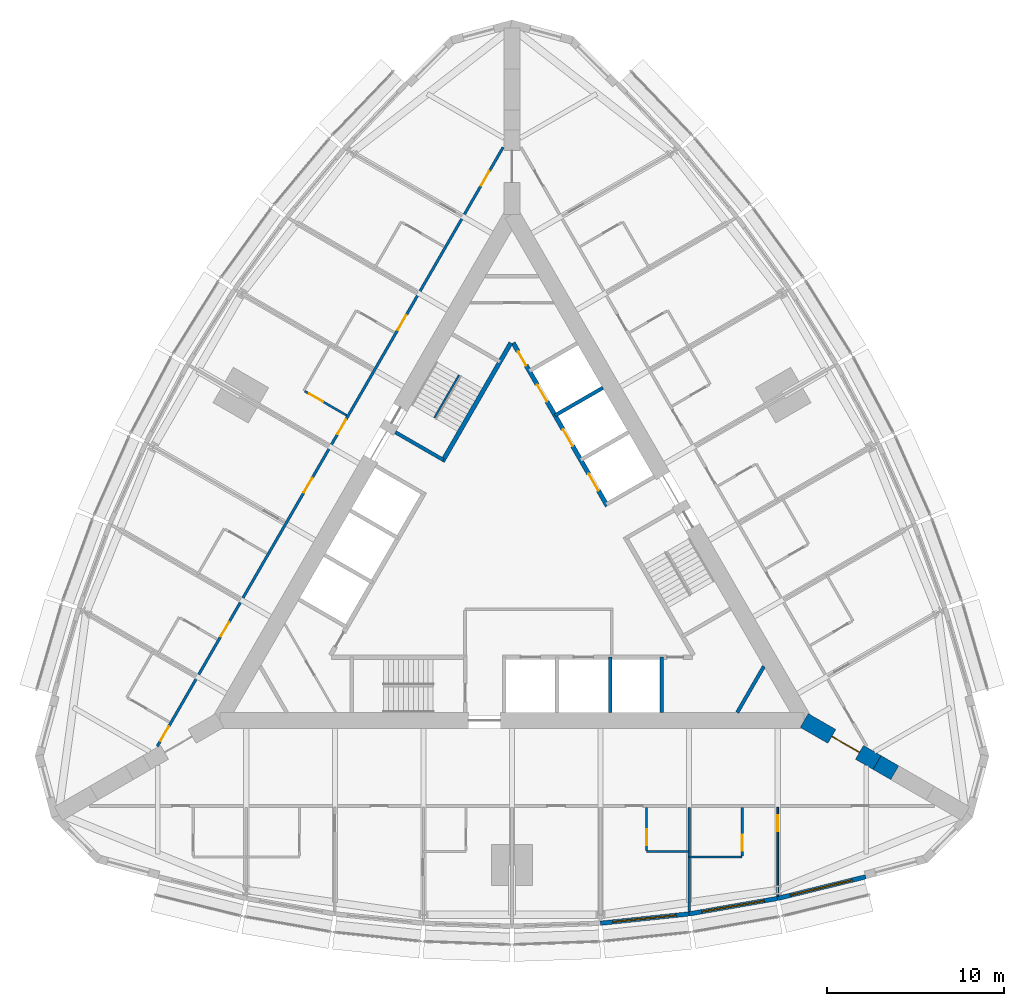
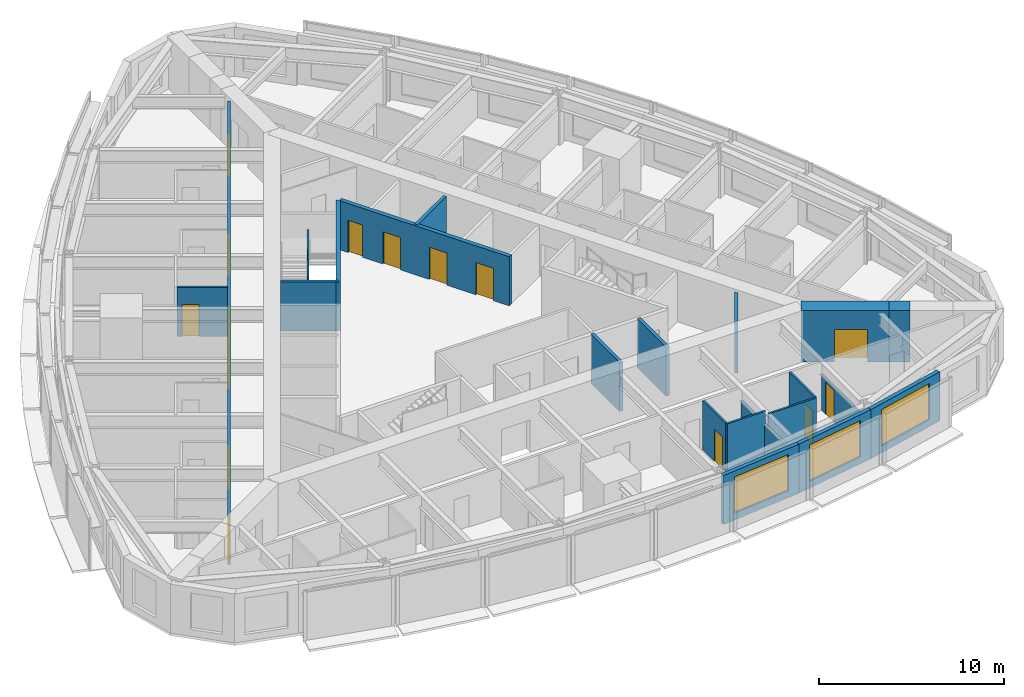
# One storey, part 10 of 14: 21 walls, 15 doors, 3 windows, 18 openings.
"""IFC4 building model written with IfcOpenShell, lengths in metres."""

import ifcopenshell
import ifcopenshell.guid

model = None  # the IFC model being written
_history = None  # IfcOwnerHistory: only IFC2X3 demands one
_inside = {}  # id of a spatial element -> (the spatial element, [elements in it])
_under = {}  # id of a project, library or spatial element -> (it, [spatial elements below it])
_declared = {}  # id of a project -> (the project, [libraries it declares])
_typed = {}  # id of a type object -> (the type object, [elements of that type])
_made_of = {}  # id of a material, layer set ... -> (it, [elements and type objects made of it])


def new_model(schema):
    """Start an empty IFC model of exactly this schema.

    Asked for "IFC4X3", IfcOpenShell would pick the latest addendum, in which some entities
    have other attributes; the version numbers below select the first issue.
    IFC2X3 requires an IfcOwnerHistory on every rooted entity: one is made here for all.
    """
    global model, _history
    if schema == "IFC4X3":
        model = ifcopenshell.file(schema_version=(4, 3, 0, 0))
    else:
        model = ifcopenshell.file(schema=schema)
    _inside.clear()
    _under.clear()
    _declared.clear()
    _typed.clear()
    _made_of.clear()
    _history = None
    if model.schema == "IFC2X3":
        org = make("IfcOrganization", Name="unknown")
        user = make(
            "IfcPersonAndOrganization",
            ThePerson=make("IfcPerson", FamilyName="unknown"),
            TheOrganization=org,
        )
        app = make(
            "IfcApplication",
            ApplicationDeveloper=org,
            Version="unknown",
            ApplicationFullName="unknown",
            ApplicationIdentifier="unknown",
        )
        _history = make(
            "IfcOwnerHistory",
            OwningUser=user,
            OwningApplication=app,
            ChangeAction="ADDED",
            CreationDate=0,
        )
    return model


def make(cls, **values):
    """One entity of the class cls with the attributes given. An attribute that is None is left unset."""
    return model.create_entity(
        cls, **{name: value for name, value in values.items() if value is not None}
    )


def rooted(cls, **values):
    """An entity with a GlobalId (a new one), such as an element, a storey or a relation."""
    return make(cls, GlobalId=ifcopenshell.guid.new(), OwnerHistory=_history, **values)


def si_unit(unit_type, name, prefix=None):
    """IfcSIUnit, for example si_unit("LENGTHUNIT", "METRE", prefix="MILLI")."""
    return make("IfcSIUnit", UnitType=unit_type, Prefix=prefix, Name=name)


def assignment(units):
    """IfcUnitAssignment: the units of a project."""
    return None if units is None else make("IfcUnitAssignment", Units=units)


def point(xyz):
    """IfcCartesianPoint."""
    return None if xyz is None else make("IfcCartesianPoint", Coordinates=xyz)


def direction(xyz):
    """IfcDirection."""
    return None if xyz is None else make("IfcDirection", DirectionRatios=xyz)


def frame(location, z_axis=None, x_axis=None):
    """IfcAxis2Placement3D, a coordinate frame: its origin and axes. An axis left out is left unset."""
    return make(
        "IfcAxis2Placement3D",
        Location=point(location),
        Axis=direction(z_axis),
        RefDirection=direction(x_axis),
    )


def frame_2d(location, x_axis=None):
    """IfcAxis2Placement2D, a coordinate frame in the plane: its origin and x axis."""
    return make(
        "IfcAxis2Placement2D", Location=point(location), RefDirection=direction(x_axis)
    )


def origin():
    """The frame at (0, 0, 0) with its axes left unset."""
    return frame((0.0, 0.0, 0.0))


def place(relative_to, where):
    """IfcLocalPlacement: puts the frame where relative to a parent placement (None: the world)."""
    return make(
        "IfcLocalPlacement", PlacementRelTo=relative_to, RelativePlacement=where
    )


def context(
    kind, dimensions, precision=None, world=None, true_north=None, identifier=None
):
    """IfcGeometricRepresentationContext, for example the 3D "Model" context."""
    return make(
        "IfcGeometricRepresentationContext",
        ContextIdentifier=identifier,
        ContextType=kind,
        CoordinateSpaceDimension=dimensions,
        Precision=precision,
        WorldCoordinateSystem=world,
        TrueNorth=true_north,
    )


def subcontext(parent, identifier, kind, view, scale=None):
    """IfcGeometricRepresentationSubContext, for example "Body" below "Model"."""
    return make(
        "IfcGeometricRepresentationSubContext",
        ContextIdentifier=identifier,
        ContextType=kind,
        ParentContext=parent,
        TargetScale=scale,
        TargetView=view,
    )


def project(units=None, contexts=None):
    """IfcProject with its units and contexts."""
    return rooted(
        "IfcProject",
        Name="project",
        RepresentationContexts=contexts,
        UnitsInContext=assignment(units),
    )


def spatial(cls, under=None, at=None, **own):
    """A site, building, storey or space (cls), placed at a placement, below another one or the project."""
    s = rooted(cls, ObjectPlacement=at, **own)
    if under is not None:
        _under.setdefault(under.id(), (under, []))[1].append(s)
    return s


def profile(cls, at=None, kind="AREA", **sizes):
    """A parametric profile (cls). Its sizes go by their IFC names, for example OverallWidth=200.0."""
    return make(cls, ProfileType=kind, Position=at, **sizes)


def rectangle(**sizes):
    """IfcRectangleProfileDef."""
    return profile("IfcRectangleProfileDef", **sizes)


def extrude(swept, where, along, depth):
    """IfcExtrudedAreaSolid: the profile swept, set in the frame where, extruded along a direction by depth."""
    return make(
        "IfcExtrudedAreaSolid",
        SweptArea=swept,
        Position=where,
        ExtrudedDirection=direction(along),
        Depth=depth,
    )


def shape(context_of_items, identifier, shape_type, items):
    """IfcShapeRepresentation: the items that make up one representation, for example the "Body"."""
    return make(
        "IfcShapeRepresentation",
        ContextOfItems=context_of_items,
        RepresentationIdentifier=identifier,
        RepresentationType=shape_type,
        Items=items,
    )


def material(Name=None, Category=None):
    """IfcMaterial."""
    return make("IfcMaterial", Name=Name, Category=Category)


def layer(
    of_material, thickness, ventilated=None, Name=None, Category=None, Priority=None
):
    """IfcMaterialLayer: one layer of a wall or slab, of a material (None: an air gap)."""
    return make(
        "IfcMaterialLayer",
        Material=of_material,
        LayerThickness=thickness,
        IsVentilated=ventilated,
        Name=Name,
        Category=Category,
        Priority=Priority,
    )


def layer_set(layers, Name=None):
    """IfcMaterialLayerSet."""
    return make("IfcMaterialLayerSet", MaterialLayers=layers, LayerSetName=Name)


def made_of(thing, what):
    """Note that an element or type object is made of a material, layer set ...; save() writes the relation."""
    if what is not None:
        _made_of.setdefault(what.id(), (what, []))[1].append(thing)
    return thing


def type_object(cls, material=None, **own):
    """A type object (cls), such as IfcWallType, which elements share."""
    return made_of(rooted(cls, **own), material)


def element(
    cls,
    number,
    at=None,
    inside=None,
    cuts=None,
    type_object=None,
    material=None,
    context=None,
    identifier="Body",
    shape_type=None,
    held_by="IfcProductDefinitionShape",
    body=None,
    shapes=None,
    **own,
):
    """One element of the class cls, such as IfcWall. Its Tag is "e" and its number.

    at: its placement. inside: the storey or other place that contains it. cuts: it is an
    opening in that element (IfcRelVoidsElement). A single representation is given by context,
    identifier, shape_type and body (its items); several are given by shapes. held_by: the class
    of the entity that holds the representations. save() writes the other relations.
    """
    e = rooted(cls, Tag="e%d" % number, ObjectPlacement=at, **own)
    if body is not None:
        shapes = [shape(context, identifier, shape_type, body)]
    if shapes is not None:
        e.Representation = make(held_by, Representations=shapes)
    if inside is not None:
        _inside.setdefault(inside.id(), (inside, []))[1].append(e)
    if cuts is not None:
        rooted(
            "IfcRelVoidsElement", RelatingBuildingElement=cuts, RelatedOpeningElement=e
        )
    if type_object is not None:
        _typed.setdefault(type_object.id(), (type_object, []))[1].append(e)
    return made_of(e, material)


def fill(opening, filler):
    """IfcRelFillsElement: the door or window that sits in an opening."""
    return rooted(
        "IfcRelFillsElement",
        RelatingOpeningElement=opening,
        RelatedBuildingElement=filler,
    )


def aggregate(whole, parts):
    """IfcRelAggregates: a whole, such as a stair, and the parts it consists of."""
    return rooted("IfcRelAggregates", RelatingObject=whole, RelatedObjects=parts)


def save(model, path):
    """Write the relations noted so far, then the file.

    IfcRelAggregates (storeys below a building ...), IfcRelContainedInSpatialStructure (elements
    in a storey), IfcRelDefinesByType, IfcRelAssociatesMaterial and IfcRelDeclares: one each for
    every whole, place, type object, material and project.
    """
    for whole, parts in _under.values():
        aggregate(whole, parts)
    for where, things in _inside.values():
        rooted(
            "IfcRelContainedInSpatialStructure",
            RelatedElements=things,
            RelatingStructure=where,
        )
    for kind, things in _typed.values():
        rooted("IfcRelDefinesByType", RelatedObjects=things, RelatingType=kind)
    for what, things in _made_of.values():
        rooted("IfcRelAssociatesMaterial", RelatedObjects=things, RelatingMaterial=what)
    for by, libraries in _declared.values():
        rooted("IfcRelDeclares", RelatingContext=by, RelatedDefinitions=libraries)
    model.write(path)


model = new_model("IFC4")

# Units and contexts
model_context = context("Model", 3, precision=1e-05, world=origin(), true_north=direction((0.0, 1.0)))
body_context = subcontext(model_context, "Body", "Model", "MODEL_VIEW")
ifc_project = project(units=[si_unit("LENGTHUNIT", "METRE"), si_unit("AREAUNIT", "SQUARE_METRE"), si_unit("VOLUMEUNIT", "CUBIC_METRE"), si_unit("PLANEANGLEUNIT", "RADIAN"), si_unit("MASSUNIT", "GRAM", prefix="KILO")], contexts=[model_context])

# Site, building, storey
site_placement = place(None, origin())
site = spatial("IfcSite", under=ifc_project, at=site_placement, CompositionType="ELEMENT")
building_placement = place(site_placement, origin())
building = spatial("IfcBuilding", under=site, at=building_placement, Name="Trikona Tower", CompositionType="ELEMENT")
storey_placement = place(building_placement, frame((0.0, 0.0, 141.89990234375)))
storey = spatial("IfcBuildingStorey", under=building, at=storey_placement, Name="L37", CompositionType="ELEMENT", Elevation=141.89990234375)

# Wall
ifc_material_1 = material(Name="Metal stud and cement board", Category="gypsum")
ifc_layer_1 = layer(ifc_material_1, 0.1201171875)
ifc_layer_set_1 = layer_set([ifc_layer_1], Name="Bathroom wall 120")
wall_type_1 = type_object("IfcWallType", Name="Bathroom wall 120", PredefinedType="PLUMBINGWALL", material=ifc_layer_set_1)
wall_1_placement = place(storey_placement, frame((7.60009765625, -16.92626953125, 0.0), z_axis=(0.0, 0.0, 1.0), x_axis=(1.0, 0.0, 0.0)))
element("IfcWall", 1, at=wall_1_placement, inside=storey, type_object=wall_type_1, Name="Bathroom wall 3703", PredefinedType="PLUMBINGWALL", context=body_context, shape_type="SweptSolid", body=[
    extrude(rectangle(XDim=2.39990234375, YDim=0.1201171875, at=frame_2d((1.199951171875, 0.0))), origin(), (0.0, 0.0, 1.0), 3.235107421875),
])

# Wall, opening, door
wall_2_placement = place(storey_placement, frame((7.60009765625, -14.42626953125, 0.0), z_axis=(0.0, 0.0, 1.0), x_axis=(0.0, -1.0, 0.0)))
wall_2 = element("IfcWall", 2, at=wall_2_placement, inside=storey, type_object=wall_type_1, Name="Bathroom wall 3703", PredefinedType="PLUMBINGWALL", context=body_context, shape_type="SweptSolid", body=[
    extrude(rectangle(XDim=2.43994140625, YDim=0.1201171875, at=frame_2d((1.219970703125, 0.0))), origin(), (0.0, 0.0, 1.0), 3.235107421875),
])
opening_1_placement = place(wall_2_placement, frame((1.25, 0.0, 0.0)))
opening_1 = element("IfcOpeningElement", 3, at=opening_1_placement, cuts=wall_2, Name="Opening D2", PredefinedType="OPENING", context=body_context, shape_type="SweptSolid", body=[
    extrude(rectangle(XDim=0.89990234375, YDim=2.1298828125, at=frame_2d((0.449951171875, 1.06494140625))), frame((0.0, 0.070068359375, 0.0), z_axis=(0.0, -1.0, 0.0), x_axis=(1.0, 0.0, 0.0)), (0.0, 0.0, 1.0), 0.14013671875),
])
ifc_material_2 = material(Name="Steel door frame with solid-core timber leaf", Category="steel")
door_type_1 = type_object("IfcDoorType", Name="Bathroom door 900x2130", OperationType="SLIDING_TO_LEFT", PredefinedType="DOOR", material=ifc_material_2)
door_1_placement = place(opening_1_placement, origin())
door_1 = element("IfcDoor", 4, at=door_1_placement, inside=storey, type_object=door_type_1, Name="Bathroom door 3703", OperationType="SLIDING_TO_LEFT", OverallHeight=2.1298828125, OverallWidth=0.89990234375, PredefinedType="DOOR", context=body_context, shape_type="SweptSolid", body=[
    extrude(rectangle(XDim=0.89990234375, YDim=2.1298828125, at=frame_2d((0.449951171875, 1.06494140625))), frame((0.0, 0.02490234375, 0.0), z_axis=(0.0, -1.0, 0.0), x_axis=(1.0, 0.0, 0.0)), (0.0, 0.0, 1.0), 0.050048828125),
])
fill(opening_1, door_1)

# Wall
wall_3_placement = place(storey_placement, frame((10.0, -17.226318359375, 0.0), z_axis=(0.0, 0.0, 1.0), x_axis=(1.0, 0.0, 0.0)))
element("IfcWall", 5, at=wall_3_placement, inside=storey, type_object=wall_type_1, Name="Bathroom wall 3704.1", PredefinedType="PLUMBINGWALL", context=body_context, shape_type="SweptSolid", body=[
    extrude(rectangle(XDim=3.0, YDim=0.1201171875, at=frame_2d((1.5, 0.0))), origin(), (0.0, 0.0, 1.0), 3.235107421875),
])

# Wall, opening, door
wall_4_placement = place(storey_placement, frame((13.0, -14.42626953125, 0.0), z_axis=(0.0, 0.0, 1.0), x_axis=(0.0, -1.0, 0.0)))
wall_4 = element("IfcWall", 6, at=wall_4_placement, inside=storey, type_object=wall_type_1, Name="Bathroom wall 3704.1", PredefinedType="PLUMBINGWALL", context=body_context, shape_type="SweptSolid", body=[
    extrude(rectangle(XDim=2.739990234375, YDim=0.1201171875, at=frame_2d((1.3701171875, 0.0))), origin(), (0.0, 0.0, 1.0), 3.235107421875),
])
opening_2_placement = place(wall_4_placement, frame((1.550048828125, 0.0, 0.0)))
opening_2 = element("IfcOpeningElement", 7, at=opening_2_placement, cuts=wall_4, Name="Opening D2", PredefinedType="OPENING", context=body_context, shape_type="SweptSolid", body=[
    extrude(rectangle(XDim=0.89990234375, YDim=2.1298828125, at=frame_2d((0.449951171875, 1.06494140625))), frame((0.0, 0.070068359375, 0.0), z_axis=(0.0, -1.0, 0.0), x_axis=(1.0, 0.0, 0.0)), (0.0, 0.0, 1.0), 0.14013671875),
])
door_2_placement = place(opening_2_placement, origin())
door_2 = element("IfcDoor", 8, at=door_2_placement, inside=storey, type_object=door_type_1, Name="Bathroom door 3704.1", OperationType="SLIDING_TO_LEFT", OverallHeight=2.1298828125, OverallWidth=0.89990234375, PredefinedType="DOOR", context=body_context, shape_type="SweptSolid", body=[
    extrude(rectangle(XDim=0.89990234375, YDim=2.1298828125, at=frame_2d((0.449951171875, 1.06494140625))), frame((0.0, 0.02490234375, 0.0), z_axis=(0.0, -1.0, 0.0), x_axis=(1.0, 0.0, 0.0)), (0.0, 0.0, 1.0), 0.050048828125),
])
fill(opening_2, door_2)

wall_5_placement = place(storey_placement, frame((-9.32861328125, 7.6953125, 0.0), z_axis=(0.0, 0.0, 1.0), x_axis=(-0.866035715982, 0.499982138324, 0.0)))
wall_5 = element("IfcWall", 9, at=wall_5_placement, inside=storey, type_object=wall_type_1, Name="Bathroom wall 3713", PredefinedType="PLUMBINGWALL", context=body_context, shape_type="SweptSolid", body=[
    extrude(rectangle(XDim=2.73974609375, YDim=0.1201171875, at=frame_2d((1.369873046875, 0.0))), origin(), (0.0, 0.0, 1.0), 3.235107421875),
])
opening_3_placement = place(wall_5_placement, frame((1.550048828125, 0.0, 0.0)))
opening_3 = element("IfcOpeningElement", 10, at=opening_3_placement, cuts=wall_5, Name="Opening D2", PredefinedType="OPENING", context=body_context, shape_type="SweptSolid", body=[
    extrude(rectangle(XDim=0.89990234375, YDim=2.1298828125, at=frame_2d((0.449951171875, 1.06494140625))), frame((0.0, 0.070068359375, 0.0), z_axis=(0.0, -1.0, 0.0), x_axis=(1.0, 0.0, 0.0)), (0.0, 0.0, 1.0), 0.14013671875),
])
door_3_placement = place(opening_3_placement, origin())
door_3 = element("IfcDoor", 11, at=door_3_placement, inside=storey, type_object=door_type_1, Name="Bathroom door 3713", OperationType="SLIDING_TO_LEFT", OverallHeight=2.1298828125, OverallWidth=0.89990234375, PredefinedType="DOOR", context=body_context, shape_type="SweptSolid", body=[
    extrude(rectangle(XDim=0.89990234375, YDim=2.1298828125, at=frame_2d((0.449951171875, 1.06494140625))), frame((0.0, 0.02490234375, 0.0), z_axis=(0.0, -1.0, 0.0), x_axis=(1.0, 0.0, 0.0)), (0.0, 0.0, 1.0), 0.050048828125),
])
fill(opening_3, door_3)

ifc_material_3 = material(Name="Concrete f'c 10000 psi", Category="concrete")
ifc_layer_2 = layer(ifc_material_3, 0.89990234375)
ifc_layer_set_2 = layer_set([ifc_layer_2], Name="Buttress wall 900")
wall_type_2 = type_object("IfcWallType", Name="Buttress wall 900", PredefinedType="SHEAR", material=ifc_layer_set_2)
wall_6_placement = place(storey_placement, frame((16.5, -9.5263671875, 0.0), z_axis=(0.0, 0.0, 1.0), x_axis=(0.866031398331, -0.499989616998, 0.0)))
wall_6 = element("IfcWall", 12, at=wall_6_placement, inside=storey, type_object=wall_type_2, Name="Buttress wall 1", PredefinedType="SHEAR", context=body_context, shape_type="SweptSolid", body=[
    extrude(rectangle(XDim=4.74609375, YDim=0.89990234375, at=frame_2d((2.373046875, 0.0))), origin(), (0.0, 0.0, 1.0), 3.400146484375),
])
opening_4_placement = place(wall_6_placement, frame((1.800048828125, 0.0, 0.0)))
opening_4 = element("IfcOpeningElement", 13, at=opening_4_placement, cuts=wall_6, Name="Opening D10", PredefinedType="OPENING", context=body_context, shape_type="SweptSolid", body=[
    extrude(rectangle(XDim=1.800048828125, YDim=2.1298828125, at=frame_2d((0.89990234375, 1.06494140625))), frame((0.0, 0.4599609375, 0.0), z_axis=(0.0, -1.0, 0.0), x_axis=(1.0, 0.0, 0.0)), (0.0, 0.0, 1.0), 0.919921875),
])
ifc_material_4 = material(Name="Hollow metal door and frame", Category="steel")
door_type_2 = type_object("IfcDoorType", Name="Cross-corridor door pair 1800x2130", OperationType="DOUBLE_DOOR_DOUBLE_SWING", PredefinedType="DOOR", material=ifc_material_4)
door_4_placement = place(opening_4_placement, origin())
door_4 = element("IfcDoor", 14, at=door_4_placement, inside=storey, type_object=door_type_2, Name="Cross-corridor door 1", OperationType="DOUBLE_DOOR_DOUBLE_SWING", OverallHeight=2.1298828125, OverallWidth=1.800048828125, PredefinedType="DOOR", context=body_context, shape_type="SweptSolid", body=[
    extrude(rectangle(XDim=1.800048828125, YDim=2.1298828125, at=frame_2d((0.89990234375, 1.06494140625))), frame((0.0, 0.02490234375, 0.0), z_axis=(0.0, -1.0, 0.0), x_axis=(1.0, 0.0, 0.0)), (0.0, 0.0, 1.0), 0.050048828125),
])
fill(opening_4, door_4)

# Wall
wall_7_placement = place(storey_placement, frame((20.6103515625, -11.8994140625, 0.0), z_axis=(0.0, 0.0, 1.0), x_axis=(0.866009537788, -0.500027479704, 0.0)))
element("IfcWall", 15, at=wall_7_placement, inside=storey, type_object=wall_type_2, Name="Buttress wall 1 part 2", PredefinedType="SHEAR", context=body_context, shape_type="SweptSolid", body=[
    extrude(rectangle(XDim=1.15478515625, YDim=0.89990234375, at=frame_2d((0.577392578125, 0.0))), origin(), (0.0, 0.0, 1.0), 3.400146484375),
])

# Wall, openings, doors
ifc_material_5 = material(Name="Metal stud and gypsum board, 1-hour", Category="gypsum")
ifc_layer_3 = layer(ifc_material_5, 0.14990234375)
ifc_layer_set_3 = layer_set([ifc_layer_3], Name="Corridor wall 150")
wall_type_3 = type_object("IfcWallType", Name="Corridor wall 150", PredefinedType="PARTITIONING", material=ifc_layer_set_3)
wall_8_placement = place(storey_placement, frame((-0.5, 22.83642578125, 0.0), z_axis=(0.0, 0.0, 1.0), x_axis=(-0.500001677587, -0.866024435227, 0.0)))
wall_8 = element("IfcWall", 16, at=wall_8_placement, inside=storey, type_object=wall_type_3, Name="Corridor wall L37-3", PredefinedType="PARTITIONING", context=body_context, shape_type="SweptSolid", body=[
    extrude(rectangle(XDim=39.053955078125, YDim=0.14990234375, at=frame_2d((19.52685546875, 0.0))), origin(), (0.0, 0.0, 1.0), 3.235107421875),
])
opening_5_placement = place(wall_8_placement, frame((1.558349609375, 0.0, 0.0)))
opening_5 = element("IfcOpeningElement", 17, at=opening_5_placement, cuts=wall_8, Name="Opening D1", PredefinedType="OPENING", context=body_context, shape_type="SweptSolid", body=[
    extrude(rectangle(XDim=0.949951171875, YDim=2.1298828125, at=frame_2d((0.47509765625, 1.06494140625))), frame((0.0, 0.0849609375, 0.0), z_axis=(0.0, -1.0, 0.0), x_axis=(1.0, 0.0, 0.0)), (0.0, 0.0, 1.0), 0.169921875),
])
opening_6_placement = place(wall_8_placement, frame((10.951904296875, 0.0, 0.0)))
opening_6 = element("IfcOpeningElement", 18, at=opening_6_placement, cuts=wall_8, Name="Opening D1", PredefinedType="OPENING", context=body_context, shape_type="SweptSolid", body=[
    extrude(rectangle(XDim=0.949951171875, YDim=2.1298828125, at=frame_2d((0.47509765625, 1.06494140625))), frame((0.0, 0.0849609375, 0.0), z_axis=(0.0, -1.0, 0.0), x_axis=(1.0, 0.0, 0.0)), (0.0, 0.0, 1.0), 0.169921875),
])
opening_7_placement = place(wall_8_placement, frame((17.751953125, 0.0, 0.0)))
opening_7 = element("IfcOpeningElement", 19, at=opening_7_placement, cuts=wall_8, Name="Opening D1", PredefinedType="OPENING", context=body_context, shape_type="SweptSolid", body=[
    extrude(rectangle(XDim=0.949951171875, YDim=2.1298828125, at=frame_2d((0.47509765625, 1.06494140625))), frame((0.0, 0.0849609375, 0.0), z_axis=(0.0, -1.0, 0.0), x_axis=(1.0, 0.0, 0.0)), (0.0, 0.0, 1.0), 0.169921875),
])
opening_8_placement = place(wall_8_placement, frame((21.552001953125, 0.0, 0.0)))
opening_8 = element("IfcOpeningElement", 20, at=opening_8_placement, cuts=wall_8, Name="Opening D1", PredefinedType="OPENING", context=body_context, shape_type="SweptSolid", body=[
    extrude(rectangle(XDim=0.949951171875, YDim=2.1298828125, at=frame_2d((0.47509765625, 1.06494140625))), frame((0.0, 0.0849609375, 0.0), z_axis=(0.0, -1.0, 0.0), x_axis=(1.0, 0.0, 0.0)), (0.0, 0.0, 1.0), 0.169921875),
])
opening_9_placement = place(wall_8_placement, frame((30.951904296875, 0.0, 0.0)))
opening_9 = element("IfcOpeningElement", 21, at=opening_9_placement, cuts=wall_8, Name="Opening D1", PredefinedType="OPENING", context=body_context, shape_type="SweptSolid", body=[
    extrude(rectangle(XDim=0.949951171875, YDim=2.1298828125, at=frame_2d((0.47509765625, 1.06494140625))), frame((0.0, 0.0849609375, 0.0), z_axis=(0.0, -1.0, 0.0), x_axis=(1.0, 0.0, 0.0)), (0.0, 0.0, 1.0), 0.169921875),
])
opening_10_placement = place(wall_8_placement, frame((37.751953125, 0.0, 0.0)))
opening_10 = element("IfcOpeningElement", 22, at=opening_10_placement, cuts=wall_8, Name="Opening D1", PredefinedType="OPENING", context=body_context, shape_type="SweptSolid", body=[
    extrude(rectangle(XDim=0.949951171875, YDim=2.1298828125, at=frame_2d((0.47509765625, 1.06494140625))), frame((0.0, 0.0849609375, 0.0), z_axis=(0.0, -1.0, 0.0), x_axis=(1.0, 0.0, 0.0)), (0.0, 0.0, 1.0), 0.169921875),
])
ifc_material_6 = material(Name="Steel door frame with solid-core timber leaf", Category="steel")
door_type_3 = type_object("IfcDoorType", Name="Guest room door 950x2130", OperationType="SINGLE_SWING_LEFT", PredefinedType="DOOR", material=ifc_material_6)
door_5_placement = place(opening_5_placement, origin())
door_5 = element("IfcDoor", 23, at=door_5_placement, inside=storey, type_object=door_type_3, Name="Room door 3711", OperationType="SINGLE_SWING_LEFT", OverallHeight=2.1298828125, OverallWidth=0.949951171875, PredefinedType="DOOR", context=body_context, shape_type="SweptSolid", body=[
    extrude(rectangle(XDim=0.949951171875, YDim=2.1298828125, at=frame_2d((0.47509765625, 1.06494140625))), frame((0.0, 0.02490234375, 0.0), z_axis=(0.0, -1.0, 0.0), x_axis=(1.0, 0.0, 0.0)), (0.0, 0.0, 1.0), 0.050048828125),
])
fill(opening_5, door_5)
door_6_placement = place(opening_6_placement, origin())
door_6 = element("IfcDoor", 24, at=door_6_placement, inside=storey, type_object=door_type_3, Name="Room door 3712", OperationType="SINGLE_SWING_RIGHT", OverallHeight=2.1298828125, OverallWidth=0.949951171875, PredefinedType="DOOR", context=body_context, shape_type="SweptSolid", body=[
    extrude(rectangle(XDim=0.949951171875, YDim=2.1298828125, at=frame_2d((0.47509765625, 1.06494140625))), frame((0.0, 0.02490234375, 0.0), z_axis=(0.0, -1.0, 0.0), x_axis=(1.0, 0.0, 0.0)), (0.0, 0.0, 1.0), 0.050048828125),
])
fill(opening_6, door_6)
door_7_placement = place(opening_7_placement, origin())
door_7 = element("IfcDoor", 25, at=door_7_placement, inside=storey, type_object=door_type_3, Name="Room door 3713", OperationType="SINGLE_SWING_LEFT", OverallHeight=2.1298828125, OverallWidth=0.949951171875, PredefinedType="DOOR", context=body_context, shape_type="SweptSolid", body=[
    extrude(rectangle(XDim=0.949951171875, YDim=2.1298828125, at=frame_2d((0.47509765625, 1.06494140625))), frame((0.0, 0.02490234375, 0.0), z_axis=(0.0, -1.0, 0.0), x_axis=(1.0, 0.0, 0.0)), (0.0, 0.0, 1.0), 0.050048828125),
])
fill(opening_7, door_7)
door_8_placement = place(opening_8_placement, origin())
door_8 = element("IfcDoor", 26, at=door_8_placement, inside=storey, type_object=door_type_3, Name="Room door 3714", OperationType="SINGLE_SWING_RIGHT", OverallHeight=2.1298828125, OverallWidth=0.949951171875, PredefinedType="DOOR", context=body_context, shape_type="SweptSolid", body=[
    extrude(rectangle(XDim=0.949951171875, YDim=2.1298828125, at=frame_2d((0.47509765625, 1.06494140625))), frame((0.0, 0.02490234375, 0.0), z_axis=(0.0, -1.0, 0.0), x_axis=(1.0, 0.0, 0.0)), (0.0, 0.0, 1.0), 0.050048828125),
])
fill(opening_8, door_8)
door_9_placement = place(opening_9_placement, origin())
door_9 = element("IfcDoor", 27, at=door_9_placement, inside=storey, type_object=door_type_3, Name="Room door 3715", OperationType="SINGLE_SWING_LEFT", OverallHeight=2.1298828125, OverallWidth=0.949951171875, PredefinedType="DOOR", context=body_context, shape_type="SweptSolid", body=[
    extrude(rectangle(XDim=0.949951171875, YDim=2.1298828125, at=frame_2d((0.47509765625, 1.06494140625))), frame((0.0, 0.02490234375, 0.0), z_axis=(0.0, -1.0, 0.0), x_axis=(1.0, 0.0, 0.0)), (0.0, 0.0, 1.0), 0.050048828125),
])
fill(opening_9, door_9)
door_10_placement = place(opening_10_placement, origin())
door_10 = element("IfcDoor", 28, at=door_10_placement, inside=storey, type_object=door_type_3, Name="Room door 3716", OperationType="SINGLE_SWING_RIGHT", OverallHeight=2.1298828125, OverallWidth=0.949951171875, PredefinedType="DOOR", context=body_context, shape_type="SweptSolid", body=[
    extrude(rectangle(XDim=0.949951171875, YDim=2.1298828125, at=frame_2d((0.47509765625, 1.06494140625))), frame((0.0, 0.02490234375, 0.0), z_axis=(0.0, -1.0, 0.0), x_axis=(1.0, 0.0, 0.0)), (0.0, 0.0, 1.0), 0.050048828125),
])
fill(opening_10, door_10)

ifc_material_7 = material(Name="Concrete f'c 8000 psi", Category="concrete")
ifc_layer_4 = layer(ifc_material_7, 0.25)
ifc_layer_set_4 = layer_set([ifc_layer_4], Name="Hub wall 250")
wall_type_4 = type_object("IfcWallType", Name="Hub wall 250", PredefinedType="SOLIDWALL", material=ifc_layer_set_4)
wall_9_placement = place(storey_placement, frame((5.37890625, 2.5859375, 0.0), z_axis=(0.0, 0.0, 1.0), x_axis=(-0.500001375892, 0.866024609411, 0.0)))
wall_9 = element("IfcWall", 29, at=wall_9_placement, inside=storey, type_object=wall_type_4, Name="Lift lobby wall B2", PredefinedType="SOLIDWALL", context=body_context, shape_type="SweptSolid", body=[
    extrude(rectangle(XDim=10.6328125, YDim=0.25, at=frame_2d((5.31640625, 0.0))), origin(), (0.0, 0.0, 1.0), 3.235107421875),
])
opening_11_placement = place(wall_9_placement, frame((9.1640625, 0.0, 0.0)))
opening_11 = element("IfcOpeningElement", 30, at=opening_11_placement, cuts=wall_9, Name="Opening D14", PredefinedType="OPENING", context=body_context, shape_type="SweptSolid", body=[
    extrude(rectangle(XDim=0.89990234375, YDim=2.1298828125, at=frame_2d((0.449951171875, 1.06494140625))), frame((0.0, 0.135009765625, 0.0), z_axis=(0.0, -1.0, 0.0), x_axis=(1.0, 0.0, 0.0)), (0.0, 0.0, 1.0), 0.27001953125),
])
opening_12_placement = place(wall_9_placement, frame((1.0, 0.0, 0.0)))
opening_12 = element("IfcOpeningElement", 31, at=opening_12_placement, cuts=wall_9, Name="Opening LD", PredefinedType="OPENING", context=body_context, shape_type="SweptSolid", body=[
    extrude(rectangle(XDim=1.10009765625, YDim=2.1298828125, at=frame_2d((0.550048828125, 1.06494140625))), frame((0.0, 0.135009765625, 0.0), z_axis=(0.0, -1.0, 0.0), x_axis=(1.0, 0.0, 0.0)), (0.0, 0.0, 1.0), 0.27001953125),
])
opening_13_placement = place(wall_9_placement, frame((3.89990234375, 0.0, 0.0)))
opening_13 = element("IfcOpeningElement", 32, at=opening_13_placement, cuts=wall_9, Name="Opening LD", PredefinedType="OPENING", context=body_context, shape_type="SweptSolid", body=[
    extrude(rectangle(XDim=1.10009765625, YDim=2.1298828125, at=frame_2d((0.550048828125, 1.06494140625))), frame((0.0, 0.135009765625, 0.0), z_axis=(0.0, -1.0, 0.0), x_axis=(1.0, 0.0, 0.0)), (0.0, 0.0, 1.0), 0.27001953125),
])
opening_14_placement = place(wall_9_placement, frame((6.800048828125, 0.0, 0.0)))
opening_14 = element("IfcOpeningElement", 33, at=opening_14_placement, cuts=wall_9, Name="Opening LD", PredefinedType="OPENING", context=body_context, shape_type="SweptSolid", body=[
    extrude(rectangle(XDim=1.10009765625, YDim=2.1298828125, at=frame_2d((0.550048828125, 1.06494140625))), frame((0.0, 0.135009765625, 0.0), z_axis=(0.0, -1.0, 0.0), x_axis=(1.0, 0.0, 0.0)), (0.0, 0.0, 1.0), 0.27001953125),
])
ifc_material_8 = material(Name="Stainless steel lift landing door", Category="steel")
door_type_4 = type_object("IfcDoorType", Name="Lift landing door 1100x2130", OperationType="DOUBLE_DOOR_SLIDING", PredefinedType="USERDEFINED", material=ifc_material_8)
door_11_placement = place(opening_12_placement, origin())
door_11 = element("IfcDoor", 34, at=door_11_placement, inside=storey, type_object=door_type_4, Name="Lift landing door L2-1", ObjectType="LIFT LANDING DOOR", OperationType="DOUBLE_DOOR_SLIDING", OverallHeight=2.1298828125, OverallWidth=1.10009765625, PredefinedType="USERDEFINED", context=body_context, shape_type="SweptSolid", body=[
    extrude(rectangle(XDim=1.10009765625, YDim=2.1298828125, at=frame_2d((0.550048828125, 1.06494140625))), frame((0.0, 0.02490234375, 0.0), z_axis=(0.0, -1.0, 0.0), x_axis=(1.0, 0.0, 0.0)), (0.0, 0.0, 1.0), 0.050048828125),
])
fill(opening_12, door_11)
door_12_placement = place(opening_13_placement, origin())
door_12 = element("IfcDoor", 35, at=door_12_placement, inside=storey, type_object=door_type_4, Name="Lift landing door L2-2", ObjectType="LIFT LANDING DOOR", OperationType="DOUBLE_DOOR_SLIDING", OverallHeight=2.1298828125, OverallWidth=1.10009765625, PredefinedType="USERDEFINED", context=body_context, shape_type="SweptSolid", body=[
    extrude(rectangle(XDim=1.10009765625, YDim=2.1298828125, at=frame_2d((0.550048828125, 1.06494140625))), frame((0.0, 0.02490234375, 0.0), z_axis=(0.0, -1.0, 0.0), x_axis=(1.0, 0.0, 0.0)), (0.0, 0.0, 1.0), 0.050048828125),
])
fill(opening_13, door_12)
door_13_placement = place(opening_14_placement, origin())
door_13 = element("IfcDoor", 36, at=door_13_placement, inside=storey, type_object=door_type_4, Name="Lift landing door L2-3", ObjectType="LIFT LANDING DOOR", OperationType="DOUBLE_DOOR_SLIDING", OverallHeight=2.1298828125, OverallWidth=1.10009765625, PredefinedType="USERDEFINED", context=body_context, shape_type="SweptSolid", body=[
    extrude(rectangle(XDim=1.10009765625, YDim=2.1298828125, at=frame_2d((0.550048828125, 1.06494140625))), frame((0.0, 0.02490234375, 0.0), z_axis=(0.0, -1.0, 0.0), x_axis=(1.0, 0.0, 0.0)), (0.0, 0.0, 1.0), 0.050048828125),
])
fill(opening_14, door_13)
ifc_material_9 = material(Name="Hollow metal door and frame", Category="steel")
door_type_5 = type_object("IfcDoorType", Name="Service room door 900x2130", OperationType="SINGLE_SWING_LEFT", PredefinedType="DOOR", material=ifc_material_9)
door_14_placement = place(opening_11_placement, origin())
door_14 = element("IfcDoor", 37, at=door_14_placement, inside=storey, type_object=door_type_5, Name="Door Housekeeping store HKS", OperationType="SINGLE_SWING_RIGHT", OverallHeight=2.1298828125, OverallWidth=0.89990234375, PredefinedType="DOOR", context=body_context, shape_type="SweptSolid", body=[
    extrude(rectangle(XDim=0.89990234375, YDim=2.1298828125, at=frame_2d((0.449951171875, 1.06494140625))), frame((0.0, 0.02490234375, 0.0), z_axis=(0.0, -1.0, 0.0), x_axis=(1.0, 0.0, 0.0)), (0.0, 0.0, 1.0), 0.050048828125),
])
fill(opening_11, door_14)

# Wall
wall_10_placement = place(storey_placement, frame((-0.0625, 11.794189453125, 0.0), z_axis=(0.0, 0.0, 1.0), x_axis=(-0.500006680225, -0.86602154692, 0.0)))
element("IfcWall", 38, at=wall_10_placement, inside=storey, type_object=wall_type_4, Name="Lift lobby wall C1", PredefinedType="SOLIDWALL", context=body_context, shape_type="SweptSolid", body=[
    extrude(rectangle(XDim=7.73291015625, YDim=0.25, at=frame_2d((3.866455078125, 0.0))), origin(), (0.0, 0.0, 1.0), 3.235107421875),
])

# Wall, opening, window
ifc_material_10 = material(Name="Insulated precast concrete spandrel panel", Category="concrete")
ifc_layer_5 = layer(ifc_material_10, 0.25)
ifc_layer_set_5 = layer_set([ifc_layer_5], Name="Inner skin wall 250")
wall_type_5 = type_object("IfcWallType", Name="Inner skin wall 250", PredefinedType="STANDARD", material=ifc_layer_set_5)
wall_11_placement = place(storey_placement, frame((4.98681640625, -20.975830078125, 0.0), z_axis=(0.0, 0.0, 1.0), x_axis=(0.994534683851, 0.104406717299, 0.0)))
wall_11 = element("IfcWall", 39, at=wall_11_placement, inside=storey, type_object=wall_type_5, Name="External wall L37-05", PredefinedType="STANDARD", context=body_context, shape_type="SweptSolid", body=[
    extrude(rectangle(XDim=5.027587890625, YDim=0.25, at=frame_2d((2.513671875, 0.0))), origin(), (0.0, 0.0, 1.0), 3.235107421875),
])
opening_15_placement = place(wall_11_placement, frame((0.713623046875, 0.0, 0.449951171875)))
opening_15 = element("IfcOpeningElement", 40, at=opening_15_placement, cuts=wall_11, Name="Opening W3624", PredefinedType="OPENING", context=body_context, shape_type="SweptSolid", body=[
    extrude(rectangle(XDim=3.60009765625, YDim=2.39990234375, at=frame_2d((1.800048828125, 1.199951171875))), frame((0.0, 0.135009765625, 0.0), z_axis=(0.0, -1.0, 0.0), x_axis=(1.0, 0.0, 0.0)), (0.0, 0.0, 1.0), 0.27001953125),
])
ifc_material_11 = material(Name="Aluminium-framed double glazing", Category="aluminium")
window_type = type_object("IfcWindowType", Name="Window 3600x2400", PartitioningType="SINGLE_PANEL", PredefinedType="WINDOW", material=ifc_material_11)
window_1_placement = place(opening_15_placement, origin())
window_1 = element("IfcWindow", 41, at=window_1_placement, inside=storey, type_object=window_type, Name="Window 3703", OverallHeight=2.39990234375, OverallWidth=3.60009765625, PartitioningType="SINGLE_PANEL", PredefinedType="WINDOW", context=body_context, shape_type="SweptSolid", body=[
    extrude(rectangle(XDim=3.60009765625, YDim=2.39990234375, at=frame_2d((1.800048828125, 1.199951171875))), frame((0.0, 0.030029296875, 0.0), z_axis=(0.0, -1.0, 0.0), x_axis=(1.0, 0.0, 0.0)), (0.0, 0.0, 1.0), 0.06005859375),
])
fill(opening_15, window_1)

wall_12_placement = place(storey_placement, frame((9.978515625, -20.4521484375, 0.0), z_axis=(0.0, 0.0, 1.0), x_axis=(0.985030467156, 0.172380331752, 0.0)))
wall_12 = element("IfcWall", 42, at=wall_12_placement, inside=storey, type_object=wall_type_5, Name="External wall L37-06", PredefinedType="STANDARD", context=body_context, shape_type="SweptSolid", body=[
    extrude(rectangle(XDim=5.075927734375, YDim=0.25, at=frame_2d((2.5380859375, 0.0))), origin(), (0.0, 0.0, 1.0), 3.235107421875),
])
opening_16_placement = place(wall_12_placement, frame((0.738037109375, 0.0, 0.449951171875)))
opening_16 = element("IfcOpeningElement", 43, at=opening_16_placement, cuts=wall_12, Name="Opening W3624", PredefinedType="OPENING", context=body_context, shape_type="SweptSolid", body=[
    extrude(rectangle(XDim=3.60009765625, YDim=2.39990234375, at=frame_2d((1.800048828125, 1.199951171875))), frame((0.0, 0.135009765625, 0.0), z_axis=(0.0, -1.0, 0.0), x_axis=(1.0, 0.0, 0.0)), (0.0, 0.0, 1.0), 0.27001953125),
])
window_2_placement = place(opening_16_placement, origin())
window_2 = element("IfcWindow", 44, at=window_2_placement, inside=storey, type_object=window_type, Name="Window 3704.1", OverallHeight=2.39990234375, OverallWidth=3.60009765625, PartitioningType="SINGLE_PANEL", PredefinedType="WINDOW", context=body_context, shape_type="SweptSolid", body=[
    extrude(rectangle(XDim=3.60009765625, YDim=2.39990234375, at=frame_2d((1.800048828125, 1.199951171875))), frame((0.0, 0.030029296875, 0.0), z_axis=(0.0, -1.0, 0.0), x_axis=(1.0, 0.0, 0.0)), (0.0, 0.0, 1.0), 0.06005859375),
])
fill(opening_16, window_2)

wall_13_placement = place(storey_placement, frame((14.97021484375, -19.578857421875, 0.0), z_axis=(0.0, 0.0, 1.0), x_axis=(0.971270024053, 0.237980126011, 0.0)))
wall_13 = element("IfcWall", 45, at=wall_13_placement, inside=storey, type_object=wall_type_5, Name="External wall L37-07", PredefinedType="STANDARD", context=body_context, shape_type="SweptSolid", body=[
    extrude(rectangle(XDim=5.14794921875, YDim=0.25, at=frame_2d((2.573974609375, 0.0))), origin(), (0.0, 0.0, 1.0), 3.235107421875),
])
opening_17_placement = place(wall_13_placement, frame((0.77392578125, 0.0, 0.449951171875)))
opening_17 = element("IfcOpeningElement", 46, at=opening_17_placement, cuts=wall_13, Name="Opening W3624", PredefinedType="OPENING", context=body_context, shape_type="SweptSolid", body=[
    extrude(rectangle(XDim=3.60009765625, YDim=2.39990234375, at=frame_2d((1.800048828125, 1.199951171875))), frame((0.0, 0.135009765625, 0.0), z_axis=(0.0, -1.0, 0.0), x_axis=(1.0, 0.0, 0.0)), (0.0, 0.0, 1.0), 0.27001953125),
])
window_3_placement = place(opening_17_placement, origin())
window_3 = element("IfcWindow", 47, at=window_3_placement, inside=storey, type_object=window_type, Name="Window 3704", OverallHeight=2.39990234375, OverallWidth=3.60009765625, PartitioningType="SINGLE_PANEL", PredefinedType="WINDOW", context=body_context, shape_type="SweptSolid", body=[
    extrude(rectangle(XDim=3.60009765625, YDim=2.39990234375, at=frame_2d((1.800048828125, 1.199951171875))), frame((0.0, 0.030029296875, 0.0), z_axis=(0.0, -1.0, 0.0), x_axis=(1.0, 0.0, 0.0)), (0.0, 0.0, 1.0), 0.06005859375),
])
fill(opening_17, window_3)

# Walls
ifc_material_12 = material(Name="Metal stud and gypsum board, 1-hour acoustic", Category="gypsum")
ifc_layer_6 = layer(ifc_material_12, 0.14990234375)
ifc_layer_set_6 = layer_set([ifc_layer_6], Name="Party wall 150")
wall_type_6 = type_object("IfcWallType", Name="Party wall 150", PredefinedType="PARTITIONING", material=ifc_layer_set_6)
wall_14_placement = place(storey_placement, frame((10.0, -14.42626953125, 0.0), z_axis=(0.0, 0.0, 1.0), x_axis=(0.0, -1.0, 0.0)))
element("IfcWall", 48, at=wall_14_placement, inside=storey, type_object=wall_type_6, Name="Partition L37 F1 u10", PredefinedType="PARTITIONING", context=body_context, shape_type="SweptSolid", body=[
    extrude(rectangle(XDim=5.89501953125, YDim=0.14990234375, at=frame_2d((2.947509765625, 0.0))), origin(), (0.0, 0.0, 1.0), 2.389404296875),
])
ifc_material_13 = material(Name="Concrete f'c 8000 psi", Category="concrete")
ifc_layer_7 = layer(ifc_material_13, 0.199951171875)
ifc_layer_set_7 = layer_set([ifc_layer_7], Name="Shaft wall 200")
wall_type_7 = type_object("IfcWallType", Name="Shaft wall 200", PredefinedType="SOLIDWALL", material=ifc_layer_set_7)
for number, where, z_axis, x_axis, name in (
    (49, (5.550048828125, -5.951416015625, 0.0), (0.0, 0.0, 1.0), (0.0, -1.0, 0.0), "Shaft wall A5"),
    (50, (8.449951171875, -5.951416015625, 0.0), (0.0, 0.0, 1.0), (0.0, -1.0, 0.0), "Shaft wall A6"),
    (51, (2.428955078125, 7.695556640625, 0.0), (0.0, 0.0, 1.0), (0.866022959057, 0.500004234368, 0.0), "Shaft wall B5"),
):
    element("IfcWall", number, at=place(storey_placement, frame(where, z_axis=z_axis, x_axis=x_axis)), inside=storey, type_object=wall_type_7, Name=name, PredefinedType="SOLIDWALL", context=body_context, shape_type="SweptSolid", body=[
        extrude(rectangle(XDim=3.125, YDim=0.199951171875, at=frame_2d((1.5625, 0.0))), origin(), (0.0, 0.0, 1.0), 3.235107421875),
    ])
wall_15_placement = place(storey_placement, frame((14.219482421875, -6.476318359375, 0.0), z_axis=(0.0, 0.0, 1.0), x_axis=(-0.499952404951, -0.866052881055, 0.0)))
element("IfcWall", 52, at=wall_15_placement, inside=storey, type_object=wall_type_7, Name="Riser wall L37-RS1", PredefinedType="SOLIDWALL", context=body_context, shape_type="SweptSolid", body=[
    extrude(rectangle(XDim=3.002197265625, YDim=0.199951171875, at=frame_2d((1.5009765625, 0.0))), origin(), (0.0, 0.0, 1.0), 3.235107421875),
])
ifc_material_14 = material(Name="Concrete f'c 8000 psi", Category="concrete")
ifc_layer_8 = layer(ifc_material_14, 0.199951171875)
ifc_layer_set_8 = layer_set([ifc_layer_8], Name="Shaft wall 200 load-bearing")
wall_type_8 = type_object("IfcWallType", Name="Shaft wall 200 load-bearing", PredefinedType="SOLIDWALL", material=ifc_layer_set_8)
wall_16_placement = place(storey_placement, frame((-3.87890625, 5.18408203125, 0.0), z_axis=(0.0, 0.0, 1.0), x_axis=(-0.866022959057, 0.500004234368, 0.0)))
element("IfcWall", 53, at=wall_16_placement, inside=storey, type_object=wall_type_8, Name="Shaft wall C2", PredefinedType="SOLIDWALL", context=body_context, shape_type="SweptSolid", body=[
    extrude(rectangle(XDim=3.125, YDim=0.199951171875, at=frame_2d((1.5625, 0.0))), origin(), (0.0, 0.0, 1.0), 3.235107421875),
])
ifc_material_15 = material(Name="Concrete f'c 5000 psi", Category="concrete")
ifc_layer_9 = layer(ifc_material_15, 0.10009765625)
ifc_layer_set_9 = layer_set([ifc_layer_9], Name="Stair spine wall 100")
wall_type_9 = type_object("IfcWallType", Name="Stair spine wall 100", PredefinedType="SOLIDWALL", material=ifc_layer_set_9)
wall_17_placement = place(storey_placement, frame((-2.98779296875, 9.9775390625, 0.0), z_axis=(0.0, 0.0, 1.0), x_axis=(-0.499992232847, -0.866029888106, 0.0)))
element("IfcWall", 54, at=wall_17_placement, inside=storey, type_object=wall_type_9, Name="Stair C spine wall L37", PredefinedType="SOLIDWALL", context=body_context, shape_type="SweptSolid", body=[
    extrude(rectangle(XDim=2.7939453125, YDim=0.10009765625, at=frame_2d((1.39697265625, 0.0))), origin(), (0.0, 0.0, 1.0), 3.400146484375),
])

# Wall, opening, door
ifc_material_16 = material(Name="Metal stud and gypsum board, acoustic", Category="gypsum")
ifc_layer_10 = layer(ifc_material_16, 0.10009765625)
ifc_layer_set_10 = layer_set([ifc_layer_10], Name="Suite partition 100")
wall_type_10 = type_object("IfcWallType", Name="Suite partition 100", PredefinedType="PARTITIONING", material=ifc_layer_set_10)
wall_18_placement = place(storey_placement, frame((15.0, -14.42626953125, 0.0), z_axis=(0.0, 0.0, 1.0), x_axis=(0.0, -1.0, 0.0)))
wall_18 = element("IfcWall", 55, at=wall_18_placement, inside=storey, type_object=wall_type_10, Name="Suite partition L37 F1 u15", PredefinedType="PARTITIONING", context=body_context, shape_type="SweptSolid", body=[
    extrude(rectangle(XDim=5.0166015625, YDim=0.10009765625, at=frame_2d((2.50830078125, 0.0))), origin(), (0.0, 0.0, 1.0), 2.389404296875),
])
opening_18_placement = place(wall_18_placement, frame((0.449951171875, 0.0, 0.0)))
opening_18 = element("IfcOpeningElement", 56, at=opening_18_placement, cuts=wall_18, Name="Opening D13", PredefinedType="OPENING", context=body_context, shape_type="SweptSolid", body=[
    extrude(rectangle(XDim=0.89990234375, YDim=2.1298828125, at=frame_2d((0.449951171875, 1.06494140625))), frame((0.0, 0.06005859375, 0.0), z_axis=(0.0, -1.0, 0.0), x_axis=(1.0, 0.0, 0.0)), (0.0, 0.0, 1.0), 0.1201171875),
])
ifc_material_17 = material(Name="Steel door frame with solid-core timber leaf", Category="steel")
door_type_6 = type_object("IfcDoorType", Name="Suite door 900x2130", OperationType="SINGLE_SWING_LEFT", PredefinedType="DOOR", material=ifc_material_17)
door_15_placement = place(opening_18_placement, origin())
door_15 = element("IfcDoor", 57, at=door_15_placement, inside=storey, type_object=door_type_6, Name="Suite door 3704", OperationType="SINGLE_SWING_LEFT", OverallHeight=2.1298828125, OverallWidth=0.89990234375, PredefinedType="DOOR", context=body_context, shape_type="SweptSolid", body=[
    extrude(rectangle(XDim=0.89990234375, YDim=2.1298828125, at=frame_2d((0.449951171875, 1.06494140625))), frame((0.0, 0.02490234375, 0.0), z_axis=(0.0, -1.0, 0.0), x_axis=(1.0, 0.0, 0.0)), (0.0, 0.0, 1.0), 0.050048828125),
])
fill(opening_18, door_15)

save(model, "model.ifc")
